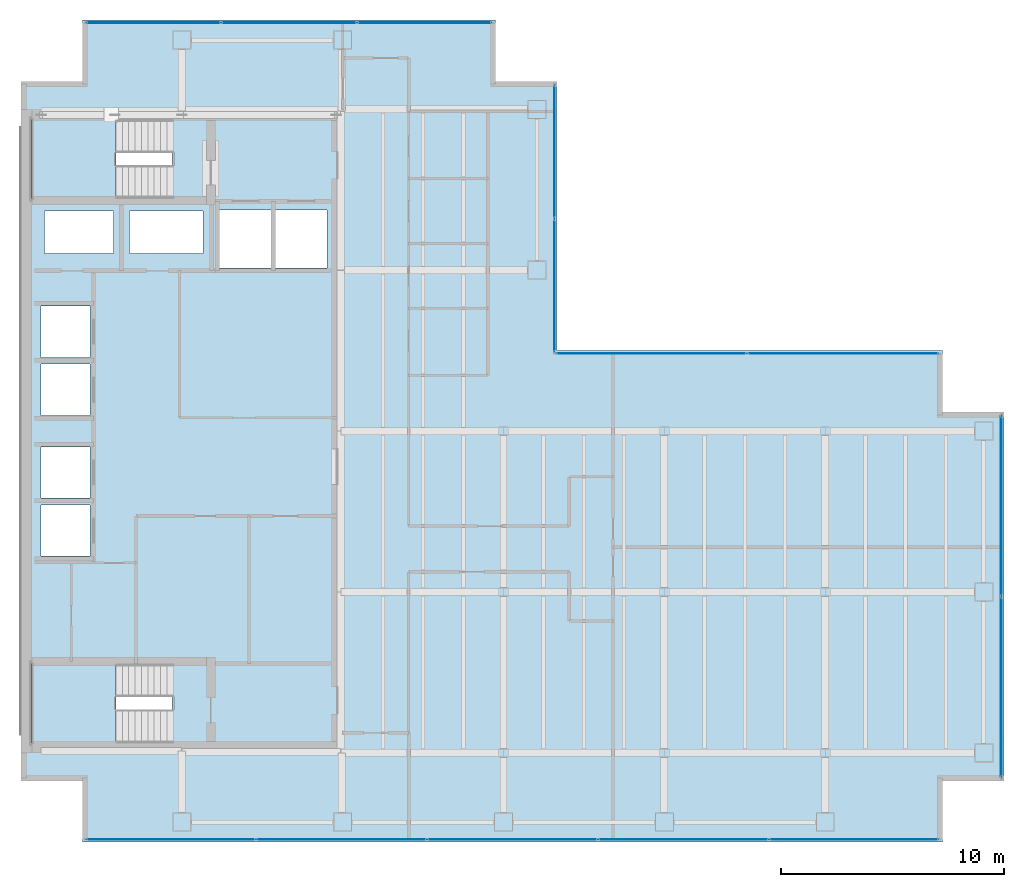
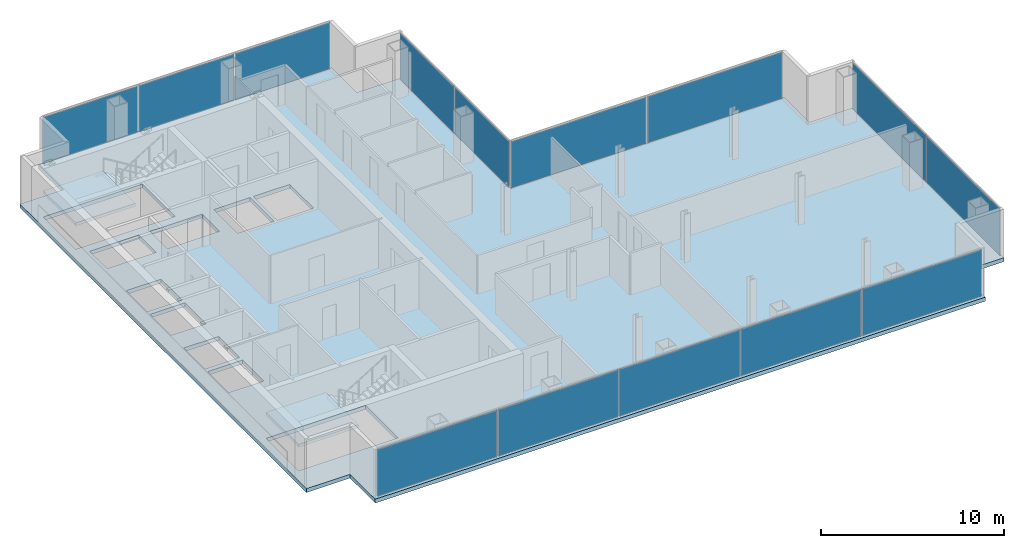
# One storey, part 19 of 23: 14 plates, 3 slabs, 10 openings, 7 elements without a shape of their own.
"""IFC4 building model written with IfcOpenShell, lengths in metres."""

from ifc_helpers import new_model, si_unit, direction, frame, origin, origin_2d, place, context, subcontext, project, spatial, polyline, rectangle, outline, extrude, material, layer, layer_set, type_object, element, aggregate, save


model = new_model("IFC4")

# Units and contexts
model_context = context("Model", 3, precision=1e-05, world=origin(), true_north=direction((0.0, 1.0)))
body_context = subcontext(model_context, "Body", "Model", "MODEL_VIEW")
ifc_project = project(units=[si_unit("LENGTHUNIT", "METRE"), si_unit("AREAUNIT", "SQUARE_METRE"), si_unit("VOLUMEUNIT", "CUBIC_METRE"), si_unit("PLANEANGLEUNIT", "RADIAN"), si_unit("MASSUNIT", "GRAM", prefix="KILO")], contexts=[model_context])

# Site, building, storey
site_placement = place(None, origin())
site = spatial("IfcSite", under=ifc_project, at=site_placement, CompositionType="ELEMENT")
building_placement = place(site_placement, origin())
building = spatial("IfcBuilding", under=site, at=building_placement, Name="Cobrela Telecom Tower", CompositionType="ELEMENT")
storey_placement = place(building_placement, frame((0.0, 0.0, 180.25)))
storey = spatial("IfcBuildingStorey", under=building, at=storey_placement, Name="L45", CompositionType="ELEMENT", Elevation=180.25)

# Curtain wall, plates
ifc_material_1 = material(Name="Anodized Bronze Aluminium 6063-T6", Category="aluminium")
curtain_wall_type = type_object("IfcCurtainWallType", Name="CW-SYS-OFF-LO", PredefinedType="USERDEFINED", material=ifc_material_1)
curtain_wall_1_placement = place(storey_placement, origin())
curtain_wall_1 = element("IfcCurtainWall", 1, at=curtain_wall_1_placement, inside=storey, type_object=curtain_wall_type, Name="L45 Unitised Bronze Curtain Wall 07", ObjectType="UNITISED CURTAIN WALL", PredefinedType="USERDEFINED")
ifc_material_2 = material(Name="Solar-Control Bronze Low-E Glass", Category="glass")
ifc_layer_1 = layer(ifc_material_2, 0.031982421875)
ifc_layer_set_1 = layer_set([ifc_layer_1], Name="Solar-Control Bronze Low-E Glass")
plate_type = type_object("IfcPlateType", Name="CW-SYS-OFF-LO-PNL", PredefinedType="CURTAIN_PANEL", material=ifc_layer_set_1)
plate_1_placement = place(storey_placement, frame((5.930908203125, 39.8798828125, 0.070068359375), z_axis=(0.0, 0.0, 1.0), x_axis=(1.0, 0.0, 0.0)))
plate_1 = element("IfcPlate", 2, at=plate_1_placement, type_object=plate_type, Name="CW-OFF-LO panel 1.1", PredefinedType="CURTAIN_PANEL", context=body_context, shape_type="SweptSolid", body=[
    extrude(rectangle(XDim=5.981689453125, YDim=0.031982421875, at=origin_2d()), origin(), (0.0, 0.0, 1.0), 3.10009765625),
])
plate_2_placement = place(storey_placement, frame((12.0, 39.8798828125, 0.070068359375), z_axis=(0.0, 0.0, 1.0), x_axis=(1.0, 0.0, 0.0)))
plate_2 = element("IfcPlate", 3, at=plate_2_placement, type_object=plate_type, Name="CW-OFF-LO panel 2.1", PredefinedType="CURTAIN_PANEL", context=body_context, shape_type="SweptSolid", body=[
    extrude(rectangle(XDim=6.0166015625, YDim=0.031982421875, at=origin_2d()), origin(), (0.0, 0.0, 1.0), 3.10009765625),
])
plate_3_placement = place(storey_placement, frame((18.069091796875, 39.8798828125, 0.070068359375), z_axis=(0.0, 0.0, 1.0), x_axis=(1.0, 0.0, 0.0)))
plate_3 = element("IfcPlate", 4, at=plate_3_placement, type_object=plate_type, Name="CW-OFF-LO panel 3.1", PredefinedType="CURTAIN_PANEL", context=body_context, shape_type="SweptSolid", body=[
    extrude(rectangle(XDim=5.981689453125, YDim=0.031982421875, at=origin_2d()), origin(), (0.0, 0.0, 1.0), 3.10009765625),
])
aggregate(curtain_wall_1, [plate_1, plate_2, plate_3])

curtain_wall_2_placement = place(storey_placement, origin())
curtain_wall_2 = element("IfcCurtainWall", 5, at=curtain_wall_2_placement, inside=storey, type_object=curtain_wall_type, Name="L45 Unitised Bronze Curtain Wall 10", ObjectType="UNITISED CURTAIN WALL", PredefinedType="USERDEFINED")
plate_4_placement = place(storey_placement, frame((23.8798828125, 34.10009765625, 0.070068359375), z_axis=(0.0, 0.0, 1.0), x_axis=(0.0, -1.0, 0.0)))
plate_4 = element("IfcPlate", 6, at=plate_4_placement, type_object=plate_type, Name="CW-OFF-LO panel 1.1", PredefinedType="CURTAIN_PANEL", context=body_context, shape_type="SweptSolid", body=[
    extrude(rectangle(XDim=5.919921875, YDim=0.031982421875, at=origin_2d()), origin(), (0.0, 0.0, 1.0), 3.10009765625),
])
plate_5_placement = place(storey_placement, frame((23.8798828125, 28.110107421875, 0.070068359375), z_axis=(0.0, 0.0, 1.0), x_axis=(0.0, -1.0, 0.0)))
plate_5 = element("IfcPlate", 7, at=plate_5_placement, type_object=plate_type, Name="CW-OFF-LO panel 2.1", PredefinedType="CURTAIN_PANEL", context=body_context, shape_type="SweptSolid", body=[
    extrude(rectangle(XDim=5.919921875, YDim=0.031982421875, at=origin_2d()), origin(), (0.0, 0.0, 1.0), 3.10009765625),
])
aggregate(curtain_wall_2, [plate_4, plate_5])

curtain_wall_3_placement = place(storey_placement, origin())
curtain_wall_3 = element("IfcCurtainWall", 8, at=curtain_wall_3_placement, inside=storey, type_object=curtain_wall_type, Name="L45 Unitised Bronze Curtain Wall 11", ObjectType="UNITISED CURTAIN WALL", PredefinedType="USERDEFINED")
plate_6_placement = place(storey_placement, frame((28.2099609375, 25.080078125, 0.070068359375), z_axis=(0.0, 0.0, 1.0), x_axis=(1.0, 0.0, 0.0)))
plate_6 = element("IfcPlate", 9, at=plate_6_placement, type_object=plate_type, Name="CW-OFF-LO panel 1.1", PredefinedType="CURTAIN_PANEL", context=body_context, shape_type="SweptSolid", body=[
    extrude(rectangle(XDim=8.52001953125, YDim=0.031982421875, at=origin_2d()), origin(), (0.0, 0.0, 1.0), 3.10009765625),
])
plate_7_placement = place(storey_placement, frame((36.800048828125, 25.080078125, 0.070068359375), z_axis=(0.0, 0.0, 1.0), x_axis=(1.0, 0.0, 0.0)))
plate_7 = element("IfcPlate", 10, at=plate_7_placement, type_object=plate_type, Name="CW-OFF-LO panel 2.1", PredefinedType="CURTAIN_PANEL", context=body_context, shape_type="SweptSolid", body=[
    extrude(rectangle(XDim=8.52001953125, YDim=0.031982421875, at=origin_2d()), origin(), (0.0, 0.0, 1.0), 3.10009765625),
])
aggregate(curtain_wall_3, [plate_6, plate_7])

curtain_wall_4_placement = place(storey_placement, origin())
curtain_wall_4 = element("IfcCurtainWall", 11, at=curtain_wall_4_placement, inside=storey, type_object=curtain_wall_type, Name="L45 Unitised Bronze Curtain Wall 14", ObjectType="UNITISED CURTAIN WALL", PredefinedType="USERDEFINED")
plate_8_placement = place(storey_placement, frame((43.8798828125, 18.24755859375, 0.070068359375), z_axis=(0.0, 0.0, 1.0), x_axis=(0.0, -1.0, 0.0)))
plate_8 = element("IfcPlate", 12, at=plate_8_placement, type_object=plate_type, Name="CW-OFF-LO panel 1.1", PredefinedType="CURTAIN_PANEL", context=body_context, shape_type="SweptSolid", body=[
    extrude(rectangle(XDim=8.02490234375, YDim=0.031982421875, at=origin_2d()), origin(), (0.0, 0.0, 1.0), 3.10009765625),
])
plate_9_placement = place(storey_placement, frame((43.8798828125, 10.152587890625, 0.070068359375), z_axis=(0.0, 0.0, 1.0), x_axis=(0.0, -1.0, 0.0)))
plate_9 = element("IfcPlate", 13, at=plate_9_placement, type_object=plate_type, Name="CW-OFF-LO panel 2.1", PredefinedType="CURTAIN_PANEL", context=body_context, shape_type="SweptSolid", body=[
    extrude(rectangle(XDim=8.02490234375, YDim=0.031982421875, at=origin_2d()), origin(), (0.0, 0.0, 1.0), 3.10009765625),
])
aggregate(curtain_wall_4, [plate_8, plate_9])

curtain_wall_5_placement = place(storey_placement, origin())
curtain_wall_5 = element("IfcCurtainWall", 14, at=curtain_wall_5_placement, inside=storey, type_object=curtain_wall_type, Name="L45 Unitised Bronze Curtain Wall 17", ObjectType="UNITISED CURTAIN WALL", PredefinedType="USERDEFINED")
plate_10_placement = place(storey_placement, frame((37.28662109375, 3.320068359375, 0.070068359375), z_axis=(0.0, 0.0, 1.0), x_axis=(-1.0, 0.0, 0.0)))
plate_10 = element("IfcPlate", 15, at=plate_10_placement, type_object=plate_type, Name="CW-OFF-LO panel 1.1", PredefinedType="CURTAIN_PANEL", context=body_context, shape_type="SweptSolid", body=[
    extrude(rectangle(XDim=7.547119140625, YDim=0.031982421875, at=origin_2d()), origin(), (0.0, 0.0, 1.0), 3.10009765625),
])
plate_11_placement = place(storey_placement, frame((29.652099609375, 3.320068359375, 0.070068359375), z_axis=(0.0, 0.0, 1.0), x_axis=(-1.0, 0.0, 0.0)))
plate_11 = element("IfcPlate", 16, at=plate_11_placement, type_object=plate_type, Name="CW-OFF-LO panel 2.1", PredefinedType="CURTAIN_PANEL", context=body_context, shape_type="SweptSolid", body=[
    extrude(rectangle(XDim=7.58203125, YDim=0.031982421875, at=origin_2d()), origin(), (0.0, 0.0, 1.0), 3.10009765625),
])
plate_12_placement = place(storey_placement, frame((22.0, 3.320068359375, 0.070068359375), z_axis=(0.0, 0.0, 1.0), x_axis=(-1.0, 0.0, 0.0)))
plate_12 = element("IfcPlate", 17, at=plate_12_placement, type_object=plate_type, Name="CW-OFF-LO panel 3.1", PredefinedType="CURTAIN_PANEL", context=body_context, shape_type="SweptSolid", body=[
    extrude(rectangle(XDim=7.58203125, YDim=0.031982421875, at=origin_2d()), origin(), (0.0, 0.0, 1.0), 3.10009765625),
])
plate_13_placement = place(storey_placement, frame((14.347900390625, 3.320068359375, 0.070068359375), z_axis=(0.0, 0.0, 1.0), x_axis=(-1.0, 0.0, 0.0)))
plate_13 = element("IfcPlate", 18, at=plate_13_placement, type_object=plate_type, Name="CW-OFF-LO panel 4.1", PredefinedType="CURTAIN_PANEL", context=body_context, shape_type="SweptSolid", body=[
    extrude(rectangle(XDim=7.58203125, YDim=0.031982421875, at=origin_2d()), origin(), (0.0, 0.0, 1.0), 3.10009765625),
])
plate_14_placement = place(storey_placement, frame((6.71337890625, 3.320068359375, 0.070068359375), z_axis=(0.0, 0.0, 1.0), x_axis=(-1.0, 0.0, 0.0)))
plate_14 = element("IfcPlate", 19, at=plate_14_placement, type_object=plate_type, Name="CW-OFF-LO panel 5.1", PredefinedType="CURTAIN_PANEL", context=body_context, shape_type="SweptSolid", body=[
    extrude(rectangle(XDim=7.547119140625, YDim=0.031982421875, at=origin_2d()), origin(), (0.0, 0.0, 1.0), 3.10009765625),
])
aggregate(curtain_wall_5, [plate_10, plate_11, plate_12, plate_13, plate_14])

# Slab, openings
ifc_material_3 = material(Name="Concrete C40/50", Category="concrete")
ifc_layer_2 = layer(ifc_material_3, 0.260009765625)
ifc_layer_set_2 = layer_set([ifc_layer_2], Name="Concrete C40/50")
slab_type_1 = type_object("IfcSlabType", Name="SLAB-FLR-260", PredefinedType="FLOOR", material=ifc_layer_set_2)
slab_1_placement = place(storey_placement, frame((0.0, 0.0, -0.260009765625)))
slab_1 = element("IfcSlab", 20, at=slab_1_placement, inside=storey, type_object=slab_type_1, Name="L45 Structural Floor Slab", PredefinedType="FLOOR", context=body_context, shape_type="SweptSolid", body=[
    extrude(outline(polyline([(2.75, 3.199951171875), (41.25, 3.199951171875), (41.25, 5.949951171875), (44.0, 5.949951171875), (44.0, 22.449951171875), (41.25, 22.449951171875), (41.25, 25.199951171875), (24.0, 25.199951171875), (24.0, 37.25), (21.25, 37.25), (21.25, 40.0), (2.75, 40.0), (2.75, 37.25), (0.0, 37.25), (0.0, 5.949951171875), (2.75, 5.949951171875), (2.75, 3.199951171875)])), origin(), (0.0, 0.0, 1.0), 0.260009765625),
])
opening_1_placement = place(slab_1_placement, frame((0.0, 0.0, -0.02001953125)))
element("IfcOpeningElement", 21, at=opening_1_placement, cuts=slab_1, Name="Slab Shaft Opening SLAB-L45-MAIN.1", PredefinedType="OPENING", context=body_context, shape_type="SweptSolid", body=[
    extrude(outline(polyline([(8.89990234375, 28.89990234375), (11.199951171875, 28.89990234375), (11.199951171875, 31.5), (8.89990234375, 31.5), (8.89990234375, 28.89990234375)])), origin(), (0.0, 0.0, 1.0), 0.300048828125),
])
opening_2_placement = place(slab_1_placement, frame((0.0, 0.0, -0.02001953125)))
element("IfcOpeningElement", 22, at=opening_2_placement, cuts=slab_1, Name="Slab Shaft Opening SLAB-L45-MAIN.2", PredefinedType="OPENING", context=body_context, shape_type="SweptSolid", body=[
    extrude(outline(polyline([(11.39990234375, 28.89990234375), (13.699951171875, 28.89990234375), (13.699951171875, 31.5), (11.39990234375, 31.5), (11.39990234375, 28.89990234375)])), origin(), (0.0, 0.0, 1.0), 0.300048828125),
])
opening_3_placement = place(slab_1_placement, frame((0.0, 0.0, -0.02001953125)))
element("IfcOpeningElement", 23, at=opening_3_placement, cuts=slab_1, Name="Slab Shaft Opening SLAB-L45-MAIN.3", PredefinedType="OPENING", context=body_context, shape_type="SweptSolid", body=[
    extrude(outline(polyline([(0.89990234375, 16.0), (3.10009765625, 16.0), (3.10009765625, 18.300048828125), (0.89990234375, 18.300048828125), (0.89990234375, 16.0)])), origin(), (0.0, 0.0, 1.0), 0.300048828125),
])
opening_4_placement = place(slab_1_placement, frame((0.0, 0.0, -0.02001953125)))
element("IfcOpeningElement", 24, at=opening_4_placement, cuts=slab_1, Name="Slab Shaft Opening SLAB-L45-MAIN.4", PredefinedType="OPENING", context=body_context, shape_type="SweptSolid", body=[
    extrude(outline(polyline([(0.89990234375, 18.60009765625), (3.10009765625, 18.60009765625), (3.10009765625, 20.89990234375), (0.89990234375, 20.89990234375), (0.89990234375, 18.60009765625)])), origin(), (0.0, 0.0, 1.0), 0.300048828125),
])
opening_5_placement = place(slab_1_placement, frame((0.0, 0.0, -0.02001953125)))
element("IfcOpeningElement", 25, at=opening_5_placement, cuts=slab_1, Name="Slab Shaft Opening SLAB-L45-MAIN.5", PredefinedType="OPENING", context=body_context, shape_type="SweptSolid", body=[
    extrude(outline(polyline([(0.89990234375, 22.300048828125), (3.10009765625, 22.300048828125), (3.10009765625, 24.60009765625), (0.89990234375, 24.60009765625), (0.89990234375, 22.300048828125)])), origin(), (0.0, 0.0, 1.0), 0.300048828125),
])
opening_6_placement = place(slab_1_placement, frame((0.0, 0.0, -0.02001953125)))
element("IfcOpeningElement", 26, at=opening_6_placement, cuts=slab_1, Name="Slab Shaft Opening SLAB-L45-MAIN.6", PredefinedType="OPENING", context=body_context, shape_type="SweptSolid", body=[
    extrude(outline(polyline([(0.89990234375, 24.89990234375), (3.10009765625, 24.89990234375), (3.10009765625, 27.199951171875), (0.89990234375, 27.199951171875), (0.89990234375, 24.89990234375)])), origin(), (0.0, 0.0, 1.0), 0.300048828125),
])
opening_7_placement = place(slab_1_placement, frame((0.0, 0.0, -0.02001953125)))
element("IfcOpeningElement", 27, at=opening_7_placement, cuts=slab_1, Name="Slab Shaft Opening SLAB-L45-MAIN.7", PredefinedType="OPENING", context=body_context, shape_type="SweptSolid", body=[
    extrude(outline(polyline([(1.050048828125, 29.550048828125), (4.14990234375, 29.550048828125), (4.14990234375, 31.449951171875), (1.050048828125, 31.449951171875), (1.050048828125, 29.550048828125)])), origin(), (0.0, 0.0, 1.0), 0.300048828125),
])
opening_8_placement = place(slab_1_placement, frame((0.0, 0.0, -0.02001953125)))
element("IfcOpeningElement", 28, at=opening_8_placement, cuts=slab_1, Name="Slab Shaft Opening SLAB-L45-MAIN.8", PredefinedType="OPENING", context=body_context, shape_type="SweptSolid", body=[
    extrude(outline(polyline([(4.85009765625, 29.550048828125), (8.14990234375, 29.550048828125), (8.14990234375, 31.449951171875), (4.85009765625, 31.449951171875), (4.85009765625, 29.550048828125)])), origin(), (0.0, 0.0, 1.0), 0.300048828125),
])
opening_9_placement = place(slab_1_placement, frame((0.0, 0.0, -0.02001953125)))
element("IfcOpeningElement", 29, at=opening_9_placement, cuts=slab_1, Name="Slab Shaft Opening SLAB-L45-MAIN.9", PredefinedType="OPENING", context=body_context, shape_type="SweptSolid", body=[
    extrude(outline(polyline([(6.7548828125, 35.550048828125), (0.47998046875, 35.550048828125), (0.47998046875, 32.0), (6.7548828125, 32.0), (6.7548828125, 35.550048828125)])), origin(), (0.0, 0.0, 1.0), 0.300048828125),
])
opening_10_placement = place(slab_1_placement, frame((0.0, 0.0, -0.02001953125)))
element("IfcOpeningElement", 30, at=opening_10_placement, cuts=slab_1, Name="Slab Shaft Opening SLAB-L45-MAIN.10", PredefinedType="OPENING", context=body_context, shape_type="SweptSolid", body=[
    extrude(outline(polyline([(6.7548828125, 11.199951171875), (0.47998046875, 11.199951171875), (0.47998046875, 7.64990234375), (6.7548828125, 7.64990234375), (6.7548828125, 11.199951171875)])), origin(), (0.0, 0.0, 1.0), 0.300048828125),
])

# Stair, slab
stair_type = type_object("IfcStairType", Name="STAIR-CORE", PredefinedType="HALF_TURN_STAIR", material=ifc_material_3)
stair_1_placement = place(storey_placement, origin())
stair_1 = element("IfcStair", 31, at=stair_1_placement, inside=storey, type_object=stair_type, Name="L45 Smokeproof Exit Stair ST1", PredefinedType="HALF_TURN_STAIR")
ifc_layer_3 = layer(ifc_material_3, 0.199951171875)
ifc_layer_set_3 = layer_set([ifc_layer_3], Name="Concrete C40/50")
slab_type_2 = type_object("IfcSlabType", Name="SLAB-LAND-200", PredefinedType="LANDING", material=ifc_layer_set_3)
slab_2_placement = place(storey_placement, frame((0.0, 0.0, 1.550048828125)))
slab_2 = element("IfcSlab", 32, at=slab_2_placement, type_object=slab_type_2, Name="ST1 landing 1", PredefinedType="LANDING", context=body_context, shape_type="SweptSolid", body=[
    extrude(outline(polyline([(4.2548828125, 35.550048828125), (0.47998046875, 35.550048828125), (0.47998046875, 32.0), (4.2548828125, 32.0), (4.2548828125, 35.550048828125)])), origin(), (0.0, 0.0, 1.0), 0.199951171875),
])
aggregate(stair_1, [slab_2])

stair_2_placement = place(storey_placement, origin())
stair_2 = element("IfcStair", 33, at=stair_2_placement, inside=storey, type_object=stair_type, Name="L45 Smokeproof Exit Stair ST2", PredefinedType="HALF_TURN_STAIR")
slab_3_placement = place(storey_placement, frame((0.0, 0.0, 1.550048828125)))
slab_3 = element("IfcSlab", 34, at=slab_3_placement, type_object=slab_type_2, Name="ST2 landing 1", PredefinedType="LANDING", context=body_context, shape_type="SweptSolid", body=[
    extrude(outline(polyline([(4.2548828125, 11.199951171875), (0.47998046875, 11.199951171875), (0.47998046875, 7.64990234375), (4.2548828125, 7.64990234375), (4.2548828125, 11.199951171875)])), origin(), (0.0, 0.0, 1.0), 0.199951171875),
])
aggregate(stair_2, [slab_3])

save(model, "model.ifc")
